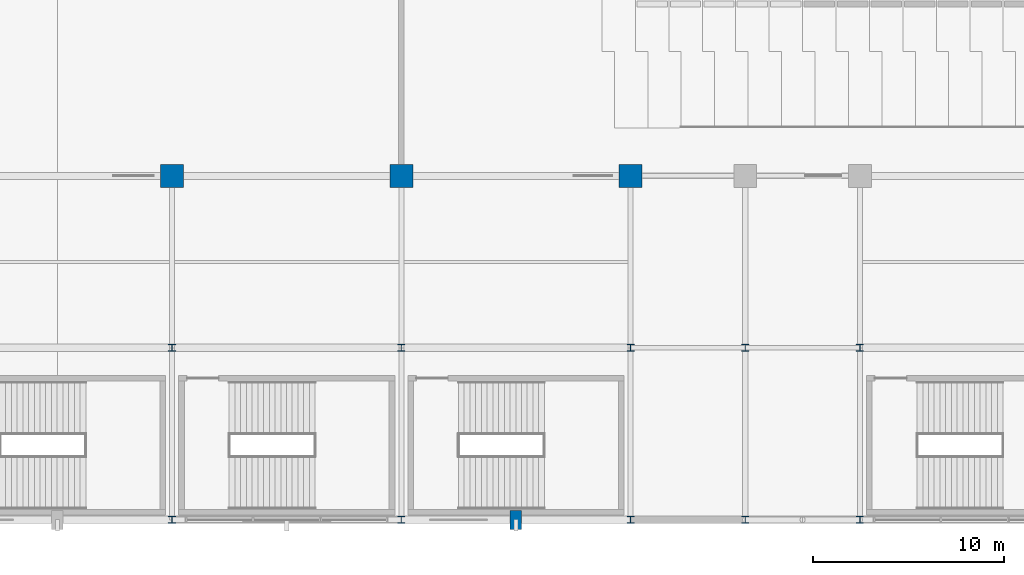
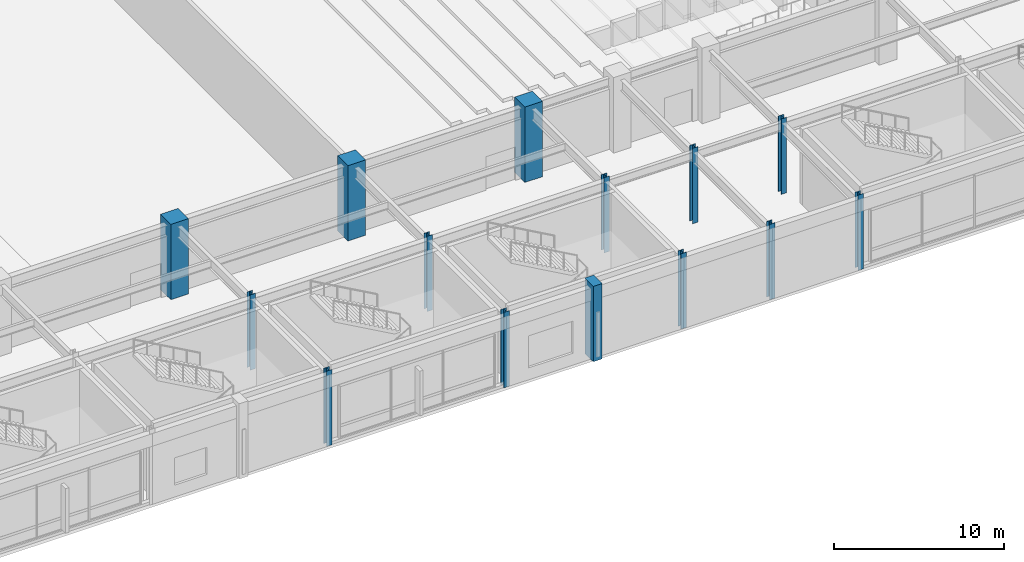
# One storey, part 4 of 100: 14 columns.
"""IFC4 building model written with IfcOpenShell, lengths in metres."""

from ifc_helpers import new_model, si_unit, direction, frame, origin, origin_2d, place, context, subcontext, project, spatial, rectangle, i_section, extrude, material, material_profile, profile_set, type_object, element, save


model = new_model("IFC4")

# Units and contexts
model_context = context("Model", 3, precision=1e-05, world=origin(), true_north=direction((0.0, 1.0)))
body_context = subcontext(model_context, "Body", "Model", "MODEL_VIEW")
ifc_project = project(units=[si_unit("LENGTHUNIT", "METRE"), si_unit("AREAUNIT", "SQUARE_METRE"), si_unit("VOLUMEUNIT", "CUBIC_METRE"), si_unit("PLANEANGLEUNIT", "RADIAN"), si_unit("MASSUNIT", "GRAM", prefix="KILO")], contexts=[model_context])

# Site, building, storey
site_placement = place(None, origin())
site = spatial("IfcSite", under=ifc_project, at=site_placement, CompositionType="ELEMENT")
building_placement = place(site_placement, origin())
building = spatial("IfcBuilding", under=site, at=building_placement, Name="Kaldorvane Square Convention Centre", CompositionType="ELEMENT")
storey_placement = place(building_placement, frame((0.0, 0.0, 18.0)))
storey = spatial("IfcBuildingStorey", under=building, at=storey_placement, Name="L03", CompositionType="ELEMENT", Elevation=18.0)

# Columns
ifc_material_1 = material(Name="Concrete f'c = 55 MPa (Normalweight)", Category="concrete")
ifc_material_profile_1 = material_profile(ifc_material_1, rectangle(XDim=1.1999969482421875, YDim=1.1999969482421875, at=origin_2d()), Name="RC1200X1200")
ifc_profile_set_1 = profile_set([ifc_material_profile_1], Name="Concrete f'c = 55 MPa (Normalweight)")
column_type_1 = type_object("IfcColumnType", Name="COL-MEGA-1200", PredefinedType="COLUMN", material=ifc_profile_set_1)
for number, where, z_axis, x_axis, name in (
    (1, (66.0, 18.0, 0.0), (0.0, 0.0, 1.0), (1.0, 0.0, 0.0), "Column MC-02 (L03)"),
    (2, (78.0, 18.0, 0.0), (0.0, 0.0, 1.0), (1.0, 0.0, 0.0), "Column MC-02 (L03)"),
    (3, (90.0, 18.0, 0.0), (0.0, 0.0, 1.0), (1.0, 0.0, 0.0), "Column MC-02 (L03)"),
):
    element("IfcColumn", number, at=place(storey_placement, frame(where, z_axis=z_axis, x_axis=x_axis)), inside=storey, type_object=column_type_1, Name=name, PredefinedType="COLUMN", context=body_context, shape_type="SweptSolid", body=[
        extrude(rectangle(XDim=1.1999969482421875, YDim=1.1999969482421875, at=origin_2d()), origin(), (0.0, 0.0, 1.0), 5.399993896484375),
    ])
ifc_material_2 = material(Name="Steel ASTM A992 Gr. 50", Category="steel")
ifc_material_profile_2 = material_profile(ifc_material_2, i_section(OverallWidth=0.3701019287109375, OverallDepth=0.360198974609375, WebThickness=0.012298583984375, FlangeThickness=0.019805908203125, FilletRadius=0.0305023193359375, at=origin_2d()), Name="W14X99")
ifc_profile_set_2 = profile_set([ifc_material_profile_2], Name="Steel ASTM A992 Gr. 50")
column_type_2 = type_object("IfcColumnType", Name="COL-STL-99", PredefinedType="COLUMN", material=ifc_profile_set_2)
for number, where, z_axis, x_axis, name in (
    (4, (66.0, 0.0, 0.0), (0.0, 0.0, 1.0), (1.0, 0.0, 0.0), "Column SC-12 (L03)"),
    (5, (66.0, 9.0, 0.0), (0.0, 0.0, 1.0), (1.0, 0.0, 0.0), "Column SC-12 (L03)"),
    (6, (78.0, 0.0, 0.0), (0.0, 0.0, 1.0), (1.0, 0.0, 0.0), "Column SC-12 (L03)"),
    (7, (78.0, 9.0, 0.0), (0.0, 0.0, 1.0), (1.0, 0.0, 0.0), "Column SC-12 (L03)"),
    (8, (90.0, 0.0, 0.0), (0.0, 0.0, 1.0), (1.0, 0.0, 0.0), "Column SC-12 (L03)"),
    (9, (90.0, 9.0, 0.0), (0.0, 0.0, 1.0), (1.0, 0.0, 0.0), "Column SC-12 (L03)"),
    (10, (96.0, 0.0, 0.0), (0.0, 0.0, 1.0), (1.0, 0.0, 0.0), "Column SC-12 (L03)"),
    (11, (96.0, 9.0, 0.0), (0.0, 0.0, 1.0), (1.0, 0.0, 0.0), "Column SC-12 (L03)"),
    (12, (102.0, 0.0, 0.0), (0.0, 0.0, 1.0), (1.0, 0.0, 0.0), "Column SC-12 (L03)"),
    (13, (102.0, 9.0, 0.0), (0.0, 0.0, 1.0), (1.0, 0.0, 0.0), "Column SC-12 (L03)"),
):
    element("IfcColumn", number, at=place(storey_placement, frame(where, z_axis=z_axis, x_axis=x_axis)), inside=storey, type_object=column_type_2, Name=name, PredefinedType="COLUMN", context=body_context, shape_type="SweptSolid", body=[
        extrude(i_section(OverallWidth=0.3701019287109375, OverallDepth=0.360198974609375, WebThickness=0.012298583984375, FlangeThickness=0.019805908203125, FilletRadius=0.0305023193359375, at=origin_2d()), origin(), (0.0, 0.0, 1.0), 5.399993896484375),
    ])
ifc_material_profile_3 = material_profile(ifc_material_1, rectangle(XDim=0.600006103515625, YDim=1.0, at=origin_2d()), Name="PIL1000X600")
ifc_profile_set_3 = profile_set([ifc_material_profile_3], Name="Concrete f'c = 55 MPa (Normalweight)")
column_type_3 = type_object("IfcColumnType", Name="PIL-BRUT-1000", PredefinedType="PILASTER", material=ifc_profile_set_3)
column_placement = place(storey_placement, frame((84.0, 0.0, 0.0), z_axis=(0.0, 0.0, 1.0), x_axis=(1.0, 0.0, 0.0)))
element("IfcColumn", 14, at=column_placement, inside=storey, type_object=column_type_3, Name="Brutalist Colonnade Pilaster (L03)", PredefinedType="PILASTER", context=body_context, shape_type="SweptSolid", body=[
    extrude(rectangle(XDim=0.600006103515625, YDim=1.0, at=origin_2d()), origin(), (0.0, 0.0, 1.0), 5.399993896484375),
])

save(model, "model.ifc")
